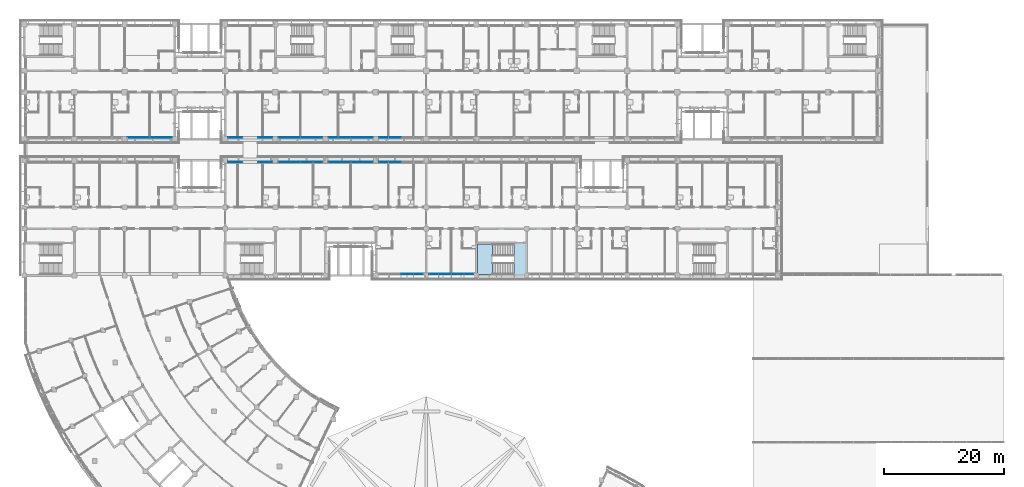
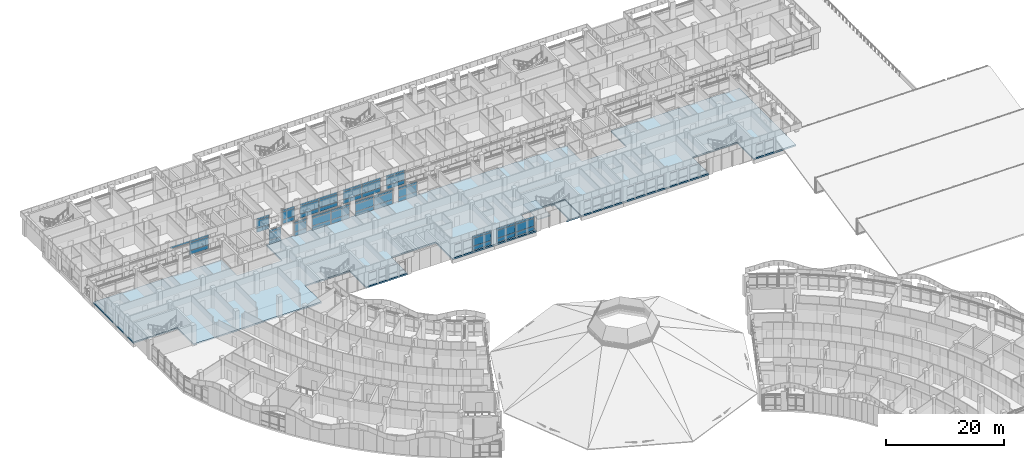
# One storey, part 56 of 137: 55 plates, 3 slabs, 14 elements without a shape of their own.
"""IFC4 building model written with IfcOpenShell, lengths in metres."""

from ifc_helpers import new_model, si_unit, direction, frame, origin, origin_2d, place, context, subcontext, project, spatial, polyline, rectangle, outline, extrude, material, layer, layer_set, type_object, element, aggregate, save


model = new_model("IFC4")

# Units and contexts
model_context = context("Model", 3, precision=1e-05, world=origin(), true_north=direction((0.0, 1.0)))
body_context = subcontext(model_context, "Body", "Model", "MODEL_VIEW")
ifc_project = project(units=[si_unit("LENGTHUNIT", "METRE"), si_unit("AREAUNIT", "SQUARE_METRE"), si_unit("VOLUMEUNIT", "CUBIC_METRE"), si_unit("PLANEANGLEUNIT", "RADIAN"), si_unit("MASSUNIT", "GRAM", prefix="KILO")], contexts=[model_context])

# Site, building, storey
site_placement = place(None, origin())
site = spatial("IfcSite", under=ifc_project, at=site_placement, CompositionType="ELEMENT")
building_placement = place(site_placement, origin())
building = spatial("IfcBuilding", under=site, at=building_placement, Name="Bougainvillea Quay General Hospital", CompositionType="ELEMENT")
storey_placement = place(building_placement, frame((0.0, 0.0, 16.800048828125)))
storey = spatial("IfcBuildingStorey", under=building, at=storey_placement, Name="L03", CompositionType="ELEMENT", Elevation=16.800048828125)

# Curtain wall, plates
ifc_material_1 = material(Name="Aluminium curtain wall system, powder-coated glazed", Category="aluminium")
curtain_wall_type_1 = type_object("IfcCurtainWallType", Name="Unitised curtain wall CW-3730", PredefinedType="NOTDEFINED", material=ifc_material_1)
curtain_wall_1_placement = place(storey_placement, origin())
curtain_wall_1 = element("IfcCurtainWall", 1, at=curtain_wall_1_placement, inside=storey, type_object=curtain_wall_type_1, Name="CW-4200 02", PredefinedType="NOTDEFINED")
ifc_material_2 = material(Name="Insulated aluminium spandrel panel, white", Category="aluminium")
ifc_layer_1 = layer(ifc_material_2, 0.028076171875)
ifc_layer_set_1 = layer_set([ifc_layer_1], Name="Insulated aluminium spandrel panel, white")
plate_type_1 = type_object("IfcPlateType", Name="Insulated spandrel panel white 28", PredefinedType="CURTAIN_PANEL", material=ifc_layer_set_1)
plate_1_placement = place(storey_placement, frame((61.14990234375, 140.64990234375, 2.580078125), z_axis=(0.0, 0.0, 1.0), x_axis=(1.0, 0.0, 0.0)))
plate_1 = element("IfcPlate", 2, at=plate_1_placement, type_object=plate_type_1, Name="CW-4200 spandrel panel 1.3", PredefinedType="CURTAIN_PANEL", context=body_context, shape_type="SweptSolid", body=[
    extrude(rectangle(XDim=3.639892578125, YDim=0.028076171875, at=origin_2d()), origin(), (0.0, 0.0, 1.0), 0.409912109375),
])
plate_2_placement = place(storey_placement, frame((64.85009765625, 140.64990234375, 0.059814453125), z_axis=(0.0, 0.0, 1.0), x_axis=(1.0, 0.0, 0.0)))
plate_2 = element("IfcPlate", 3, at=plate_2_placement, type_object=plate_type_1, Name="CW-4200 spandrel panel 2.1", PredefinedType="CURTAIN_PANEL", context=body_context, shape_type="SweptSolid", body=[
    extrude(rectangle(XDim=3.639892578125, YDim=0.028076171875, at=origin_2d()), origin(), (0.0, 0.0, 1.0), 0.81005859375),
])
plate_3_placement = place(storey_placement, frame((64.85009765625, 140.64990234375, 2.580078125), z_axis=(0.0, 0.0, 1.0), x_axis=(1.0, 0.0, 0.0)))
plate_3 = element("IfcPlate", 4, at=plate_3_placement, type_object=plate_type_1, Name="CW-4200 spandrel panel 2.3", PredefinedType="CURTAIN_PANEL", context=body_context, shape_type="SweptSolid", body=[
    extrude(rectangle(XDim=3.639892578125, YDim=0.028076171875, at=origin_2d()), origin(), (0.0, 0.0, 1.0), 0.409912109375),
])

curtain_wall_type_2 = type_object("IfcCurtainWallType", Name="Unitised curtain wall CW-2470", PredefinedType="NOTDEFINED", material=ifc_material_1)
curtain_wall_2_placement = place(storey_placement, origin())
curtain_wall_2 = element("IfcCurtainWall", 5, at=curtain_wall_2_placement, inside=storey, type_object=curtain_wall_type_2, Name="CW-4200 00", PredefinedType="NOTDEFINED")
plate_4_placement = place(storey_placement, frame((77.304931640625, 140.64990234375, 0.059814453125), z_axis=(0.0, 0.0, 1.0), x_axis=(1.0, 0.0, 0.0)))
plate_4 = element("IfcPlate", 6, at=plate_4_placement, type_object=plate_type_1, Name="CW-4200 spandrel panel 1.1", PredefinedType="CURTAIN_PANEL", context=body_context, shape_type="SweptSolid", body=[
    extrude(rectangle(XDim=2.35009765625, YDim=0.028076171875, at=origin_2d()), origin(), (0.0, 0.0, 1.0), 0.81005859375),
])
plate_5_placement = place(storey_placement, frame((77.304931640625, 140.64990234375, 2.580078125), z_axis=(0.0, 0.0, 1.0), x_axis=(1.0, 0.0, 0.0)))
plate_5 = element("IfcPlate", 7, at=plate_5_placement, type_object=plate_type_1, Name="CW-4200 spandrel panel 1.3", PredefinedType="CURTAIN_PANEL", context=body_context, shape_type="SweptSolid", body=[
    extrude(rectangle(XDim=2.35009765625, YDim=0.028076171875, at=origin_2d()), origin(), (0.0, 0.0, 1.0), 0.409912109375),
])

curtain_wall_3_placement = place(storey_placement, origin())
curtain_wall_3 = element("IfcCurtainWall", 8, at=curtain_wall_3_placement, inside=storey, type_object=curtain_wall_type_2, Name="CW-4200 00", PredefinedType="NOTDEFINED")
plate_6_placement = place(storey_placement, frame((82.294921875, 140.64990234375, 0.059814453125), z_axis=(0.0, 0.0, 1.0), x_axis=(1.0, 0.0, 0.0)))
plate_6 = element("IfcPlate", 9, at=plate_6_placement, type_object=plate_type_1, Name="CW-4200 spandrel panel 1.1", PredefinedType="CURTAIN_PANEL", context=body_context, shape_type="SweptSolid", body=[
    extrude(rectangle(XDim=2.35009765625, YDim=0.028076171875, at=origin_2d()), origin(), (0.0, 0.0, 1.0), 0.81005859375),
])
plate_7_placement = place(storey_placement, frame((82.294921875, 140.64990234375, 2.580078125), z_axis=(0.0, 0.0, 1.0), x_axis=(1.0, 0.0, 0.0)))
plate_7 = element("IfcPlate", 10, at=plate_7_placement, type_object=plate_type_1, Name="CW-4200 spandrel panel 1.3", PredefinedType="CURTAIN_PANEL", context=body_context, shape_type="SweptSolid", body=[
    extrude(rectangle(XDim=2.35009765625, YDim=0.028076171875, at=origin_2d()), origin(), (0.0, 0.0, 1.0), 0.409912109375),
])

curtain_wall_4_placement = place(storey_placement, origin())
curtain_wall_4 = element("IfcCurtainWall", 11, at=curtain_wall_4_placement, inside=storey, type_object=curtain_wall_type_1, Name="CW-4200 01", PredefinedType="NOTDEFINED")
plate_8_placement = place(storey_placement, frame((86.35009765625, 140.64990234375, 0.059814453125), z_axis=(0.0, 0.0, 1.0), x_axis=(1.0, 0.0, 0.0)))
plate_8 = element("IfcPlate", 12, at=plate_8_placement, type_object=plate_type_1, Name="CW-4200 spandrel panel 1.1", PredefinedType="CURTAIN_PANEL", context=body_context, shape_type="SweptSolid", body=[
    extrude(rectangle(XDim=3.639892578125, YDim=0.028076171875, at=origin_2d()), origin(), (0.0, 0.0, 1.0), 0.81005859375),
])
plate_9_placement = place(storey_placement, frame((86.35009765625, 140.64990234375, 2.580078125), z_axis=(0.0, 0.0, 1.0), x_axis=(1.0, 0.0, 0.0)))
plate_9 = element("IfcPlate", 13, at=plate_9_placement, type_object=plate_type_1, Name="CW-4200 spandrel panel 1.3", PredefinedType="CURTAIN_PANEL", context=body_context, shape_type="SweptSolid", body=[
    extrude(rectangle(XDim=3.639892578125, YDim=0.028076171875, at=origin_2d()), origin(), (0.0, 0.0, 1.0), 0.409912109375),
])
plate_10_placement = place(storey_placement, frame((90.050048828125, 140.64990234375, 0.059814453125), z_axis=(0.0, 0.0, 1.0), x_axis=(1.0, 0.0, 0.0)))
plate_10 = element("IfcPlate", 14, at=plate_10_placement, type_object=plate_type_1, Name="CW-4200 spandrel panel 2.1", PredefinedType="CURTAIN_PANEL", context=body_context, shape_type="SweptSolid", body=[
    extrude(rectangle(XDim=3.639892578125, YDim=0.028076171875, at=origin_2d()), origin(), (0.0, 0.0, 1.0), 0.81005859375),
])
plate_11_placement = place(storey_placement, frame((90.050048828125, 140.64990234375, 2.580078125), z_axis=(0.0, 0.0, 1.0), x_axis=(1.0, 0.0, 0.0)))
plate_11 = element("IfcPlate", 15, at=plate_11_placement, type_object=plate_type_1, Name="CW-4200 spandrel panel 2.3", PredefinedType="CURTAIN_PANEL", context=body_context, shape_type="SweptSolid", body=[
    extrude(rectangle(XDim=3.639892578125, YDim=0.028076171875, at=origin_2d()), origin(), (0.0, 0.0, 1.0), 0.409912109375),
])

curtain_wall_5_placement = place(storey_placement, origin())
curtain_wall_5 = element("IfcCurtainWall", 16, at=curtain_wall_5_placement, inside=storey, type_object=curtain_wall_type_1, Name="CW-4200 02", PredefinedType="NOTDEFINED")
plate_12_placement = place(storey_placement, frame((94.75, 140.64990234375, 0.059814453125), z_axis=(0.0, 0.0, 1.0), x_axis=(1.0, 0.0, 0.0)))
plate_12 = element("IfcPlate", 17, at=plate_12_placement, type_object=plate_type_1, Name="CW-4200 spandrel panel 1.1", PredefinedType="CURTAIN_PANEL", context=body_context, shape_type="SweptSolid", body=[
    extrude(rectangle(XDim=3.639892578125, YDim=0.028076171875, at=origin_2d()), origin(), (0.0, 0.0, 1.0), 0.81005859375),
])
plate_13_placement = place(storey_placement, frame((94.75, 140.64990234375, 2.580078125), z_axis=(0.0, 0.0, 1.0), x_axis=(1.0, 0.0, 0.0)))
plate_13 = element("IfcPlate", 18, at=plate_13_placement, type_object=plate_type_1, Name="CW-4200 spandrel panel 1.3", PredefinedType="CURTAIN_PANEL", context=body_context, shape_type="SweptSolid", body=[
    extrude(rectangle(XDim=3.639892578125, YDim=0.028076171875, at=origin_2d()), origin(), (0.0, 0.0, 1.0), 0.409912109375),
])
plate_14_placement = place(storey_placement, frame((98.449951171875, 140.64990234375, 0.059814453125), z_axis=(0.0, 0.0, 1.0), x_axis=(1.0, 0.0, 0.0)))
plate_14 = element("IfcPlate", 19, at=plate_14_placement, type_object=plate_type_1, Name="CW-4200 spandrel panel 2.1", PredefinedType="CURTAIN_PANEL", context=body_context, shape_type="SweptSolid", body=[
    extrude(rectangle(XDim=3.639892578125, YDim=0.028076171875, at=origin_2d()), origin(), (0.0, 0.0, 1.0), 0.81005859375),
])
plate_15_placement = place(storey_placement, frame((98.449951171875, 140.64990234375, 2.580078125), z_axis=(0.0, 0.0, 1.0), x_axis=(1.0, 0.0, 0.0)))
plate_15 = element("IfcPlate", 20, at=plate_15_placement, type_object=plate_type_1, Name="CW-4200 spandrel panel 2.3", PredefinedType="CURTAIN_PANEL", context=body_context, shape_type="SweptSolid", body=[
    extrude(rectangle(XDim=3.639892578125, YDim=0.028076171875, at=origin_2d()), origin(), (0.0, 0.0, 1.0), 0.409912109375),
])

curtain_wall_6_placement = place(storey_placement, origin())
curtain_wall_6 = element("IfcCurtainWall", 21, at=curtain_wall_6_placement, inside=storey, type_object=curtain_wall_type_1, Name="CW-4200 03", PredefinedType="NOTDEFINED")
plate_16_placement = place(storey_placement, frame((103.14990234375, 140.64990234375, 0.059814453125), z_axis=(0.0, 0.0, 1.0), x_axis=(1.0, 0.0, 0.0)))
plate_16 = element("IfcPlate", 22, at=plate_16_placement, type_object=plate_type_1, Name="CW-4200 spandrel panel 1.1", PredefinedType="CURTAIN_PANEL", context=body_context, shape_type="SweptSolid", body=[
    extrude(rectangle(XDim=3.639892578125, YDim=0.028076171875, at=origin_2d()), origin(), (0.0, 0.0, 1.0), 0.81005859375),
])
plate_17_placement = place(storey_placement, frame((103.14990234375, 140.64990234375, 2.580078125), z_axis=(0.0, 0.0, 1.0), x_axis=(1.0, 0.0, 0.0)))
plate_17 = element("IfcPlate", 23, at=plate_17_placement, type_object=plate_type_1, Name="CW-4200 spandrel panel 1.3", PredefinedType="CURTAIN_PANEL", context=body_context, shape_type="SweptSolid", body=[
    extrude(rectangle(XDim=3.639892578125, YDim=0.028076171875, at=origin_2d()), origin(), (0.0, 0.0, 1.0), 0.409912109375),
])

curtain_wall_7_placement = place(storey_placement, origin())
curtain_wall_7 = element("IfcCurtainWall", 24, at=curtain_wall_7_placement, inside=storey, type_object=curtain_wall_type_2, Name="CW-4200 00", PredefinedType="NOTDEFINED")
plate_18_placement = place(storey_placement, frame((77.304931640625, 136.550048828125, 0.059814453125), z_axis=(0.0, 0.0, 1.0), x_axis=(-1.0, 0.0, 0.0)))
plate_18 = element("IfcPlate", 25, at=plate_18_placement, type_object=plate_type_1, Name="CW-4200 spandrel panel 1.1", PredefinedType="CURTAIN_PANEL", context=body_context, shape_type="SweptSolid", body=[
    extrude(rectangle(XDim=2.35009765625, YDim=0.028076171875, at=origin_2d()), origin(), (0.0, 0.0, 1.0), 0.81005859375),
])
plate_19_placement = place(storey_placement, frame((77.304931640625, 136.550048828125, 2.580078125), z_axis=(0.0, 0.0, 1.0), x_axis=(-1.0, 0.0, 0.0)))
plate_19 = element("IfcPlate", 26, at=plate_19_placement, type_object=plate_type_1, Name="CW-4200 spandrel panel 1.3", PredefinedType="CURTAIN_PANEL", context=body_context, shape_type="SweptSolid", body=[
    extrude(rectangle(XDim=2.35009765625, YDim=0.028076171875, at=origin_2d()), origin(), (0.0, 0.0, 1.0), 0.409912109375),
])

curtain_wall_8_placement = place(storey_placement, origin())
curtain_wall_8 = element("IfcCurtainWall", 27, at=curtain_wall_8_placement, inside=storey, type_object=curtain_wall_type_1, Name="CW-4200 00", PredefinedType="NOTDEFINED")
plate_20_placement = place(storey_placement, frame((106.85009765625, 117.85009765625, 0.059814453125), z_axis=(0.0, 0.0, 1.0), x_axis=(1.0, 0.0, 0.0)))
plate_20 = element("IfcPlate", 28, at=plate_20_placement, type_object=plate_type_1, Name="CW-4200 spandrel panel 2.1", PredefinedType="CURTAIN_PANEL", context=body_context, shape_type="SweptSolid", body=[
    extrude(rectangle(XDim=3.639892578125, YDim=0.028076171875, at=origin_2d()), origin(), (0.0, 0.0, 1.0), 0.81005859375),
])
plate_21_placement = place(storey_placement, frame((106.85009765625, 117.85009765625, 2.580078125), z_axis=(0.0, 0.0, 1.0), x_axis=(1.0, 0.0, 0.0)))
plate_21 = element("IfcPlate", 29, at=plate_21_placement, type_object=plate_type_1, Name="CW-4200 spandrel panel 2.3", PredefinedType="CURTAIN_PANEL", context=body_context, shape_type="SweptSolid", body=[
    extrude(rectangle(XDim=3.639892578125, YDim=0.028076171875, at=origin_2d()), origin(), (0.0, 0.0, 1.0), 0.409912109375),
])

curtain_wall_9_placement = place(storey_placement, origin())
curtain_wall_9 = element("IfcCurtainWall", 30, at=curtain_wall_9_placement, inside=storey, type_object=curtain_wall_type_1, Name="CW-4200 01", PredefinedType="NOTDEFINED")
plate_22_placement = place(storey_placement, frame((111.550048828125, 117.85009765625, 0.059814453125), z_axis=(0.0, 0.0, 1.0), x_axis=(1.0, 0.0, 0.0)))
plate_22 = element("IfcPlate", 31, at=plate_22_placement, type_object=plate_type_1, Name="CW-4200 spandrel panel 1.1", PredefinedType="CURTAIN_PANEL", context=body_context, shape_type="SweptSolid", body=[
    extrude(rectangle(XDim=3.639892578125, YDim=0.028076171875, at=origin_2d()), origin(), (0.0, 0.0, 1.0), 0.81005859375),
])
plate_23_placement = place(storey_placement, frame((111.550048828125, 117.85009765625, 2.580078125), z_axis=(0.0, 0.0, 1.0), x_axis=(1.0, 0.0, 0.0)))
plate_23 = element("IfcPlate", 32, at=plate_23_placement, type_object=plate_type_1, Name="CW-4200 spandrel panel 1.3", PredefinedType="CURTAIN_PANEL", context=body_context, shape_type="SweptSolid", body=[
    extrude(rectangle(XDim=3.639892578125, YDim=0.028076171875, at=origin_2d()), origin(), (0.0, 0.0, 1.0), 0.409912109375),
])
plate_24_placement = place(storey_placement, frame((115.25, 117.85009765625, 0.059814453125), z_axis=(0.0, 0.0, 1.0), x_axis=(1.0, 0.0, 0.0)))
plate_24 = element("IfcPlate", 33, at=plate_24_placement, type_object=plate_type_1, Name="CW-4200 spandrel panel 2.1", PredefinedType="CURTAIN_PANEL", context=body_context, shape_type="SweptSolid", body=[
    extrude(rectangle(XDim=3.639892578125, YDim=0.028076171875, at=origin_2d()), origin(), (0.0, 0.0, 1.0), 0.81005859375),
])
plate_25_placement = place(storey_placement, frame((115.25, 117.85009765625, 2.580078125), z_axis=(0.0, 0.0, 1.0), x_axis=(1.0, 0.0, 0.0)))
plate_25 = element("IfcPlate", 34, at=plate_25_placement, type_object=plate_type_1, Name="CW-4200 spandrel panel 2.3", PredefinedType="CURTAIN_PANEL", context=body_context, shape_type="SweptSolid", body=[
    extrude(rectangle(XDim=3.639892578125, YDim=0.028076171875, at=origin_2d()), origin(), (0.0, 0.0, 1.0), 0.409912109375),
])

curtain_wall_10_placement = place(storey_placement, origin())
curtain_wall_10 = element("IfcCurtainWall", 35, at=curtain_wall_10_placement, inside=storey, type_object=curtain_wall_type_1, Name="CW-4200 03", PredefinedType="NOTDEFINED")
plate_26_placement = place(storey_placement, frame((103.14990234375, 136.550048828125, 0.059814453125), z_axis=(0.0, 0.0, 1.0), x_axis=(-1.0, 0.0, 0.0)))
plate_26 = element("IfcPlate", 36, at=plate_26_placement, type_object=plate_type_1, Name="CW-4200 spandrel panel 2.1", PredefinedType="CURTAIN_PANEL", context=body_context, shape_type="SweptSolid", body=[
    extrude(rectangle(XDim=3.639892578125, YDim=0.028076171875, at=origin_2d()), origin(), (0.0, 0.0, 1.0), 0.81005859375),
])
plate_27_placement = place(storey_placement, frame((103.14990234375, 136.550048828125, 2.580078125), z_axis=(0.0, 0.0, 1.0), x_axis=(-1.0, 0.0, 0.0)))
plate_27 = element("IfcPlate", 37, at=plate_27_placement, type_object=plate_type_1, Name="CW-4200 spandrel panel 2.3", PredefinedType="CURTAIN_PANEL", context=body_context, shape_type="SweptSolid", body=[
    extrude(rectangle(XDim=3.639892578125, YDim=0.028076171875, at=origin_2d()), origin(), (0.0, 0.0, 1.0), 0.409912109375),
])

curtain_wall_11_placement = place(storey_placement, origin())
curtain_wall_11 = element("IfcCurtainWall", 38, at=curtain_wall_11_placement, inside=storey, type_object=curtain_wall_type_1, Name="CW-4200 04", PredefinedType="NOTDEFINED")
plate_28_placement = place(storey_placement, frame((98.449951171875, 136.550048828125, 0.059814453125), z_axis=(0.0, 0.0, 1.0), x_axis=(-1.0, 0.0, 0.0)))
plate_28 = element("IfcPlate", 39, at=plate_28_placement, type_object=plate_type_1, Name="CW-4200 spandrel panel 1.1", PredefinedType="CURTAIN_PANEL", context=body_context, shape_type="SweptSolid", body=[
    extrude(rectangle(XDim=3.639892578125, YDim=0.028076171875, at=origin_2d()), origin(), (0.0, 0.0, 1.0), 0.81005859375),
])
plate_29_placement = place(storey_placement, frame((98.449951171875, 136.550048828125, 2.580078125), z_axis=(0.0, 0.0, 1.0), x_axis=(-1.0, 0.0, 0.0)))
plate_29 = element("IfcPlate", 40, at=plate_29_placement, type_object=plate_type_1, Name="CW-4200 spandrel panel 1.3", PredefinedType="CURTAIN_PANEL", context=body_context, shape_type="SweptSolid", body=[
    extrude(rectangle(XDim=3.639892578125, YDim=0.028076171875, at=origin_2d()), origin(), (0.0, 0.0, 1.0), 0.409912109375),
])
plate_30_placement = place(storey_placement, frame((94.75, 136.550048828125, 0.059814453125), z_axis=(0.0, 0.0, 1.0), x_axis=(-1.0, 0.0, 0.0)))
plate_30 = element("IfcPlate", 41, at=plate_30_placement, type_object=plate_type_1, Name="CW-4200 spandrel panel 2.1", PredefinedType="CURTAIN_PANEL", context=body_context, shape_type="SweptSolid", body=[
    extrude(rectangle(XDim=3.639892578125, YDim=0.028076171875, at=origin_2d()), origin(), (0.0, 0.0, 1.0), 0.81005859375),
])
plate_31_placement = place(storey_placement, frame((94.75, 136.550048828125, 2.580078125), z_axis=(0.0, 0.0, 1.0), x_axis=(-1.0, 0.0, 0.0)))
plate_31 = element("IfcPlate", 42, at=plate_31_placement, type_object=plate_type_1, Name="CW-4200 spandrel panel 2.3", PredefinedType="CURTAIN_PANEL", context=body_context, shape_type="SweptSolid", body=[
    extrude(rectangle(XDim=3.639892578125, YDim=0.028076171875, at=origin_2d()), origin(), (0.0, 0.0, 1.0), 0.409912109375),
])

curtain_wall_12_placement = place(storey_placement, origin())
curtain_wall_12 = element("IfcCurtainWall", 43, at=curtain_wall_12_placement, inside=storey, type_object=curtain_wall_type_1, Name="CW-4200 05", PredefinedType="NOTDEFINED")
plate_32_placement = place(storey_placement, frame((90.050048828125, 136.550048828125, 0.059814453125), z_axis=(0.0, 0.0, 1.0), x_axis=(-1.0, 0.0, 0.0)))
plate_32 = element("IfcPlate", 44, at=plate_32_placement, type_object=plate_type_1, Name="CW-4200 spandrel panel 1.1", PredefinedType="CURTAIN_PANEL", context=body_context, shape_type="SweptSolid", body=[
    extrude(rectangle(XDim=3.639892578125, YDim=0.028076171875, at=origin_2d()), origin(), (0.0, 0.0, 1.0), 0.81005859375),
])
plate_33_placement = place(storey_placement, frame((90.050048828125, 136.550048828125, 2.580078125), z_axis=(0.0, 0.0, 1.0), x_axis=(-1.0, 0.0, 0.0)))
plate_33 = element("IfcPlate", 45, at=plate_33_placement, type_object=plate_type_1, Name="CW-4200 spandrel panel 1.3", PredefinedType="CURTAIN_PANEL", context=body_context, shape_type="SweptSolid", body=[
    extrude(rectangle(XDim=3.639892578125, YDim=0.028076171875, at=origin_2d()), origin(), (0.0, 0.0, 1.0), 0.409912109375),
])
plate_34_placement = place(storey_placement, frame((86.35009765625, 136.550048828125, 0.059814453125), z_axis=(0.0, 0.0, 1.0), x_axis=(-1.0, 0.0, 0.0)))
plate_34 = element("IfcPlate", 46, at=plate_34_placement, type_object=plate_type_1, Name="CW-4200 spandrel panel 2.1", PredefinedType="CURTAIN_PANEL", context=body_context, shape_type="SweptSolid", body=[
    extrude(rectangle(XDim=3.639892578125, YDim=0.028076171875, at=origin_2d()), origin(), (0.0, 0.0, 1.0), 0.81005859375),
])
plate_35_placement = place(storey_placement, frame((86.35009765625, 136.550048828125, 2.580078125), z_axis=(0.0, 0.0, 1.0), x_axis=(-1.0, 0.0, 0.0)))
plate_35 = element("IfcPlate", 47, at=plate_35_placement, type_object=plate_type_1, Name="CW-4200 spandrel panel 2.3", PredefinedType="CURTAIN_PANEL", context=body_context, shape_type="SweptSolid", body=[
    extrude(rectangle(XDim=3.639892578125, YDim=0.028076171875, at=origin_2d()), origin(), (0.0, 0.0, 1.0), 0.409912109375),
])

curtain_wall_13_placement = place(storey_placement, origin())
curtain_wall_13 = element("IfcCurtainWall", 48, at=curtain_wall_13_placement, inside=storey, type_object=curtain_wall_type_2, Name="CW-4200 06", PredefinedType="NOTDEFINED")
plate_36_placement = place(storey_placement, frame((82.294921875, 136.550048828125, 0.059814453125), z_axis=(0.0, 0.0, 1.0), x_axis=(-1.0, 0.0, 0.0)))
plate_36 = element("IfcPlate", 49, at=plate_36_placement, type_object=plate_type_1, Name="CW-4200 spandrel panel 1.1", PredefinedType="CURTAIN_PANEL", context=body_context, shape_type="SweptSolid", body=[
    extrude(rectangle(XDim=2.35009765625, YDim=0.028076171875, at=origin_2d()), origin(), (0.0, 0.0, 1.0), 0.81005859375),
])
plate_37_placement = place(storey_placement, frame((82.294921875, 136.550048828125, 2.580078125), z_axis=(0.0, 0.0, 1.0), x_axis=(-1.0, 0.0, 0.0)))
plate_37 = element("IfcPlate", 50, at=plate_37_placement, type_object=plate_type_1, Name="CW-4200 spandrel panel 1.3", PredefinedType="CURTAIN_PANEL", context=body_context, shape_type="SweptSolid", body=[
    extrude(rectangle(XDim=2.35009765625, YDim=0.028076171875, at=origin_2d()), origin(), (0.0, 0.0, 1.0), 0.409912109375),
])

# Plate
ifc_material_3 = material(Name="Low-e laminated glass, solar control", Category="glass")
ifc_layer_2 = layer(ifc_material_3, 0.028076171875)
ifc_layer_set_2 = layer_set([ifc_layer_2], Name="Low-e laminated glass, solar control")
plate_type_2 = type_object("IfcPlateType", Name="Low-e laminated vision glass 28", PredefinedType="CURTAIN_PANEL", material=ifc_layer_set_2)
plate_38_placement = place(storey_placement, frame((64.85009765625, 140.64990234375, 0.9296875), z_axis=(0.0, 0.0, 1.0), x_axis=(1.0, 0.0, 0.0)))
plate_38 = element("IfcPlate", 51, at=plate_38_placement, type_object=plate_type_2, Name="CW-4200 vision glass panel 2.2", PredefinedType="CURTAIN_PANEL", context=body_context, shape_type="SweptSolid", body=[
    extrude(rectangle(XDim=3.639892578125, YDim=0.028076171875, at=origin_2d()), origin(), (0.0, 0.0, 1.0), 1.590087890625),
])

aggregate(curtain_wall_1, [plate_1, plate_2, plate_38, plate_3])

plate_39_placement = place(storey_placement, frame((77.304931640625, 140.64990234375, 0.9296875), z_axis=(0.0, 0.0, 1.0), x_axis=(1.0, 0.0, 0.0)))
plate_39 = element("IfcPlate", 52, at=plate_39_placement, type_object=plate_type_2, Name="CW-4200 vision glass panel 1.2", PredefinedType="CURTAIN_PANEL", context=body_context, shape_type="SweptSolid", body=[
    extrude(rectangle(XDim=2.35009765625, YDim=0.028076171875, at=origin_2d()), origin(), (0.0, 0.0, 1.0), 1.590087890625),
])

aggregate(curtain_wall_2, [plate_4, plate_39, plate_5])

plate_40_placement = place(storey_placement, frame((82.294921875, 140.64990234375, 0.9296875), z_axis=(0.0, 0.0, 1.0), x_axis=(1.0, 0.0, 0.0)))
plate_40 = element("IfcPlate", 53, at=plate_40_placement, type_object=plate_type_2, Name="CW-4200 vision glass panel 1.2", PredefinedType="CURTAIN_PANEL", context=body_context, shape_type="SweptSolid", body=[
    extrude(rectangle(XDim=2.35009765625, YDim=0.028076171875, at=origin_2d()), origin(), (0.0, 0.0, 1.0), 1.590087890625),
])

aggregate(curtain_wall_3, [plate_6, plate_40, plate_7])

plate_41_placement = place(storey_placement, frame((86.35009765625, 140.64990234375, 0.9296875), z_axis=(0.0, 0.0, 1.0), x_axis=(1.0, 0.0, 0.0)))
plate_41 = element("IfcPlate", 54, at=plate_41_placement, type_object=plate_type_2, Name="CW-4200 vision glass panel 1.2", PredefinedType="CURTAIN_PANEL", context=body_context, shape_type="SweptSolid", body=[
    extrude(rectangle(XDim=3.639892578125, YDim=0.028076171875, at=origin_2d()), origin(), (0.0, 0.0, 1.0), 1.590087890625),
])

plate_42_placement = place(storey_placement, frame((90.050048828125, 140.64990234375, 0.9296875), z_axis=(0.0, 0.0, 1.0), x_axis=(1.0, 0.0, 0.0)))
plate_42 = element("IfcPlate", 55, at=plate_42_placement, type_object=plate_type_2, Name="CW-4200 vision glass panel 2.2", PredefinedType="CURTAIN_PANEL", context=body_context, shape_type="SweptSolid", body=[
    extrude(rectangle(XDim=3.639892578125, YDim=0.028076171875, at=origin_2d()), origin(), (0.0, 0.0, 1.0), 1.590087890625),
])

aggregate(curtain_wall_4, [plate_8, plate_41, plate_9, plate_10, plate_42, plate_11])

plate_43_placement = place(storey_placement, frame((94.75, 140.64990234375, 0.9296875), z_axis=(0.0, 0.0, 1.0), x_axis=(1.0, 0.0, 0.0)))
plate_43 = element("IfcPlate", 56, at=plate_43_placement, type_object=plate_type_2, Name="CW-4200 vision glass panel 1.2", PredefinedType="CURTAIN_PANEL", context=body_context, shape_type="SweptSolid", body=[
    extrude(rectangle(XDim=3.639892578125, YDim=0.028076171875, at=origin_2d()), origin(), (0.0, 0.0, 1.0), 1.590087890625),
])

plate_44_placement = place(storey_placement, frame((98.449951171875, 140.64990234375, 0.9296875), z_axis=(0.0, 0.0, 1.0), x_axis=(1.0, 0.0, 0.0)))
plate_44 = element("IfcPlate", 57, at=plate_44_placement, type_object=plate_type_2, Name="CW-4200 vision glass panel 2.2", PredefinedType="CURTAIN_PANEL", context=body_context, shape_type="SweptSolid", body=[
    extrude(rectangle(XDim=3.639892578125, YDim=0.028076171875, at=origin_2d()), origin(), (0.0, 0.0, 1.0), 1.590087890625),
])

aggregate(curtain_wall_5, [plate_12, plate_43, plate_13, plate_14, plate_44, plate_15])

plate_45_placement = place(storey_placement, frame((103.14990234375, 140.64990234375, 0.9296875), z_axis=(0.0, 0.0, 1.0), x_axis=(1.0, 0.0, 0.0)))
plate_45 = element("IfcPlate", 58, at=plate_45_placement, type_object=plate_type_2, Name="CW-4200 vision glass panel 1.2", PredefinedType="CURTAIN_PANEL", context=body_context, shape_type="SweptSolid", body=[
    extrude(rectangle(XDim=3.639892578125, YDim=0.028076171875, at=origin_2d()), origin(), (0.0, 0.0, 1.0), 1.590087890625),
])

aggregate(curtain_wall_6, [plate_16, plate_45, plate_17])

plate_46_placement = place(storey_placement, frame((77.304931640625, 136.550048828125, 0.9296875), z_axis=(0.0, 0.0, 1.0), x_axis=(-1.0, 0.0, 0.0)))
plate_46 = element("IfcPlate", 59, at=plate_46_placement, type_object=plate_type_2, Name="CW-4200 vision glass panel 1.2", PredefinedType="CURTAIN_PANEL", context=body_context, shape_type="SweptSolid", body=[
    extrude(rectangle(XDim=2.35009765625, YDim=0.028076171875, at=origin_2d()), origin(), (0.0, 0.0, 1.0), 1.590087890625),
])

aggregate(curtain_wall_7, [plate_18, plate_46, plate_19])

plate_47_placement = place(storey_placement, frame((106.85009765625, 117.85009765625, 0.9296875), z_axis=(0.0, 0.0, 1.0), x_axis=(1.0, 0.0, 0.0)))
plate_47 = element("IfcPlate", 60, at=plate_47_placement, type_object=plate_type_2, Name="CW-4200 vision glass panel 2.2", PredefinedType="CURTAIN_PANEL", context=body_context, shape_type="SweptSolid", body=[
    extrude(rectangle(XDim=3.639892578125, YDim=0.028076171875, at=origin_2d()), origin(), (0.0, 0.0, 1.0), 1.590087890625),
])

aggregate(curtain_wall_8, [plate_20, plate_47, plate_21])

plate_48_placement = place(storey_placement, frame((111.550048828125, 117.85009765625, 0.9296875), z_axis=(0.0, 0.0, 1.0), x_axis=(1.0, 0.0, 0.0)))
plate_48 = element("IfcPlate", 61, at=plate_48_placement, type_object=plate_type_2, Name="CW-4200 vision glass panel 1.2", PredefinedType="CURTAIN_PANEL", context=body_context, shape_type="SweptSolid", body=[
    extrude(rectangle(XDim=3.639892578125, YDim=0.028076171875, at=origin_2d()), origin(), (0.0, 0.0, 1.0), 1.590087890625),
])

plate_49_placement = place(storey_placement, frame((115.25, 117.85009765625, 0.9296875), z_axis=(0.0, 0.0, 1.0), x_axis=(1.0, 0.0, 0.0)))
plate_49 = element("IfcPlate", 62, at=plate_49_placement, type_object=plate_type_2, Name="CW-4200 vision glass panel 2.2", PredefinedType="CURTAIN_PANEL", context=body_context, shape_type="SweptSolid", body=[
    extrude(rectangle(XDim=3.639892578125, YDim=0.028076171875, at=origin_2d()), origin(), (0.0, 0.0, 1.0), 1.590087890625),
])

aggregate(curtain_wall_9, [plate_22, plate_48, plate_23, plate_24, plate_49, plate_25])

plate_50_placement = place(storey_placement, frame((103.14990234375, 136.550048828125, 0.9296875), z_axis=(0.0, 0.0, 1.0), x_axis=(-1.0, 0.0, 0.0)))
plate_50 = element("IfcPlate", 63, at=plate_50_placement, type_object=plate_type_2, Name="CW-4200 vision glass panel 2.2", PredefinedType="CURTAIN_PANEL", context=body_context, shape_type="SweptSolid", body=[
    extrude(rectangle(XDim=3.639892578125, YDim=0.028076171875, at=origin_2d()), origin(), (0.0, 0.0, 1.0), 1.590087890625),
])

aggregate(curtain_wall_10, [plate_26, plate_50, plate_27])

plate_51_placement = place(storey_placement, frame((98.449951171875, 136.550048828125, 0.9296875), z_axis=(0.0, 0.0, 1.0), x_axis=(-1.0, 0.0, 0.0)))
plate_51 = element("IfcPlate", 64, at=plate_51_placement, type_object=plate_type_2, Name="CW-4200 vision glass panel 1.2", PredefinedType="CURTAIN_PANEL", context=body_context, shape_type="SweptSolid", body=[
    extrude(rectangle(XDim=3.639892578125, YDim=0.028076171875, at=origin_2d()), origin(), (0.0, 0.0, 1.0), 1.590087890625),
])

plate_52_placement = place(storey_placement, frame((94.75, 136.550048828125, 0.9296875), z_axis=(0.0, 0.0, 1.0), x_axis=(-1.0, 0.0, 0.0)))
plate_52 = element("IfcPlate", 65, at=plate_52_placement, type_object=plate_type_2, Name="CW-4200 vision glass panel 2.2", PredefinedType="CURTAIN_PANEL", context=body_context, shape_type="SweptSolid", body=[
    extrude(rectangle(XDim=3.639892578125, YDim=0.028076171875, at=origin_2d()), origin(), (0.0, 0.0, 1.0), 1.590087890625),
])

aggregate(curtain_wall_11, [plate_28, plate_51, plate_29, plate_30, plate_52, plate_31])

plate_53_placement = place(storey_placement, frame((90.050048828125, 136.550048828125, 0.9296875), z_axis=(0.0, 0.0, 1.0), x_axis=(-1.0, 0.0, 0.0)))
plate_53 = element("IfcPlate", 66, at=plate_53_placement, type_object=plate_type_2, Name="CW-4200 vision glass panel 1.2", PredefinedType="CURTAIN_PANEL", context=body_context, shape_type="SweptSolid", body=[
    extrude(rectangle(XDim=3.639892578125, YDim=0.028076171875, at=origin_2d()), origin(), (0.0, 0.0, 1.0), 1.590087890625),
])

plate_54_placement = place(storey_placement, frame((86.35009765625, 136.550048828125, 0.9296875), z_axis=(0.0, 0.0, 1.0), x_axis=(-1.0, 0.0, 0.0)))
plate_54 = element("IfcPlate", 67, at=plate_54_placement, type_object=plate_type_2, Name="CW-4200 vision glass panel 2.2", PredefinedType="CURTAIN_PANEL", context=body_context, shape_type="SweptSolid", body=[
    extrude(rectangle(XDim=3.639892578125, YDim=0.028076171875, at=origin_2d()), origin(), (0.0, 0.0, 1.0), 1.590087890625),
])

aggregate(curtain_wall_12, [plate_32, plate_53, plate_33, plate_34, plate_54, plate_35])

plate_55_placement = place(storey_placement, frame((82.294921875, 136.550048828125, 0.9296875), z_axis=(0.0, 0.0, 1.0), x_axis=(-1.0, 0.0, 0.0)))
plate_55 = element("IfcPlate", 68, at=plate_55_placement, type_object=plate_type_2, Name="CW-4200 vision glass panel 1.2", PredefinedType="CURTAIN_PANEL", context=body_context, shape_type="SweptSolid", body=[
    extrude(rectangle(XDim=2.35009765625, YDim=0.028076171875, at=origin_2d()), origin(), (0.0, 0.0, 1.0), 1.590087890625),
])

aggregate(curtain_wall_13, [plate_36, plate_55, plate_37])

# Slabs
ifc_material_4 = material(Name="Concrete C35", Category="concrete")
ifc_layer_3 = layer(ifc_material_4, 0.300048828125)
ifc_layer_set_3 = layer_set([ifc_layer_3], Name="Concrete C35")
slab_type_1 = type_object("IfcSlabType", Name="RC FLAT SLAB 300 C35", PredefinedType="FLOOR", material=ifc_layer_set_3)
slab_1_placement = place(storey_placement, frame((0.0, 0.0, -0.300048828125)))
element("IfcSlab", 69, at=slab_1_placement, inside=storey, type_object=slab_type_1, Name="Slab S3 L03", PredefinedType="FLOOR", context=body_context, shape_type="SweptSolid", body=[
    extrude(outline(polyline([(134.22509765625, 136.800048828125), (75.77490234375, 136.800048828125), (75.77490234375, 131.425048828125), (75.425048828125, 131.425048828125), (72.800048828125, 131.425048828125), (70.0, 131.425048828125), (67.375, 131.425048828125), (67.02490234375, 131.425048828125), (67.02490234375, 136.625), (67.02490234375, 136.800048828125), (42.0, 136.800048828125), (42.0, 123.175048828125), (50.22509765625, 123.175048828125), (50.574951171875, 123.175048828125), (50.574951171875, 117.60009765625), (75.425048828125, 117.60009765625), (75.425048828125, 122.824951171875), (75.425048828125, 123.175048828125), (83.824951171875, 123.175048828125), (84.175048828125, 123.175048828125), (84.175048828125, 117.60009765625), (92.22509765625, 117.60009765625), (92.22509765625, 122.824951171875), (92.22509765625, 123.175048828125), (94.5, 123.175048828125), (96.60009765625, 123.175048828125), (98.699951171875, 123.175048828125), (100.625, 123.175048828125), (100.97509765625, 123.175048828125), (100.97509765625, 117.60009765625), (117.425048828125, 117.60009765625), (117.425048828125, 122.824951171875), (117.425048828125, 123.175048828125), (125.824951171875, 123.175048828125), (126.175048828125, 123.175048828125), (126.175048828125, 117.60009765625), (151.02490234375, 117.60009765625), (151.02490234375, 122.824951171875), (151.02490234375, 123.175048828125), (159.425048828125, 123.175048828125), (159.77490234375, 123.175048828125), (159.77490234375, 117.60009765625), (168.0, 117.60009765625), (168.0, 136.800048828125), (142.97509765625, 136.800048828125), (142.97509765625, 131.425048828125), (142.625, 131.425048828125), (140.0, 131.425048828125), (137.199951171875, 131.425048828125), (134.574951171875, 131.425048828125), (134.22509765625, 131.425048828125), (134.22509765625, 136.625), (134.22509765625, 136.800048828125)])), origin(), (0.0, 0.0, 1.0), 0.300048828125),
])
slab_2_placement = place(storey_placement, frame((0.0, 0.0, -0.300048828125)))
element("IfcSlab", 70, at=slab_2_placement, inside=storey, type_object=slab_type_1, Name="Stair landing floor ST-B3 L03", PredefinedType="FLOOR", context=body_context, shape_type="SweptSolid", body=[
    extrude(outline(polyline([(123.302978515625, 122.8837890625), (123.3115234375, 122.942138671875), (123.325927734375, 122.99951171875), (126.0, 123.0), (126.0, 117.60009765625), (123.325927734375, 117.600341796875), (123.3115234375, 117.657958984375), (123.302978515625, 117.71630859375), (123.300048828125, 117.77392578125), (123.900634765625, 117.7744140625), (123.900634765625, 122.82568359375), (123.300048828125, 122.825927734375), (123.302978515625, 122.8837890625)])), origin(), (0.0, 0.0, 1.0), 0.300048828125),
])

# Stair, slab
stair_type = type_object("IfcStairType", Name="Stair half-turn 1925 wide", PredefinedType="HALF_TURN_STAIR", material=ifc_material_4)
stair_placement = place(storey_placement, origin())
stair = element("IfcStair", 71, at=stair_placement, inside=storey, type_object=stair_type, Name="L03 stair ST-B3", PredefinedType="HALF_TURN_STAIR")
ifc_layer_4 = layer(ifc_material_4, 0.199951171875)
ifc_layer_set_4 = layer_set([ifc_layer_4], Name="Concrete C35")
slab_type_2 = type_object("IfcSlabType", Name="Stair landing 200", PredefinedType="LANDING", material=ifc_layer_set_4)
slab_3_placement = place(storey_placement, frame((0.0, 0.0, 1.89990234375)))
slab_3 = element("IfcSlab", 72, at=slab_3_placement, type_object=slab_type_2, Name="ST-B3 landing 1", PredefinedType="LANDING", context=body_context, shape_type="SweptSolid", body=[
    extrude(outline(polyline([(120.260009765625, 122.824951171875), (117.77490234375, 122.824951171875), (117.77490234375, 117.77490234375), (120.260009765625, 117.77490234375), (120.260009765625, 122.824951171875)])), origin(), (0.0, 0.0, 1.0), 0.199951171875),
])
aggregate(stair, [slab_3])

save(model, "model.ifc")
